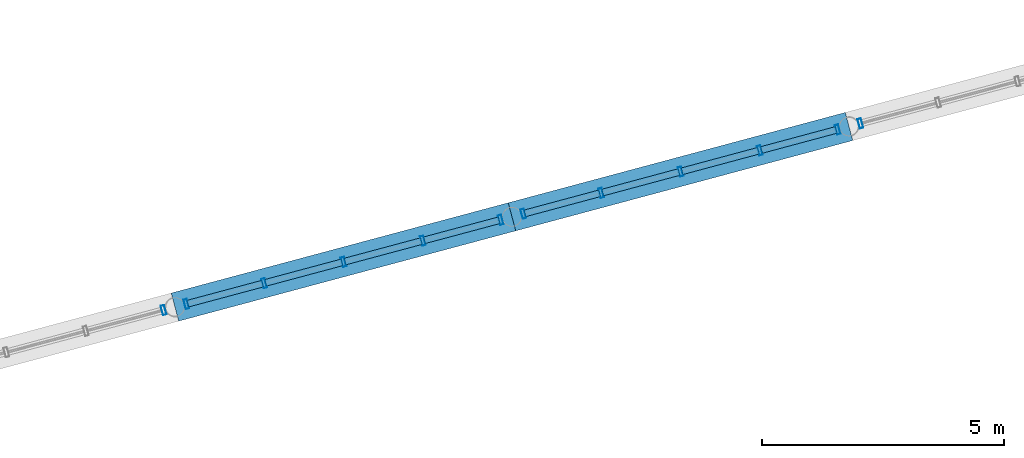
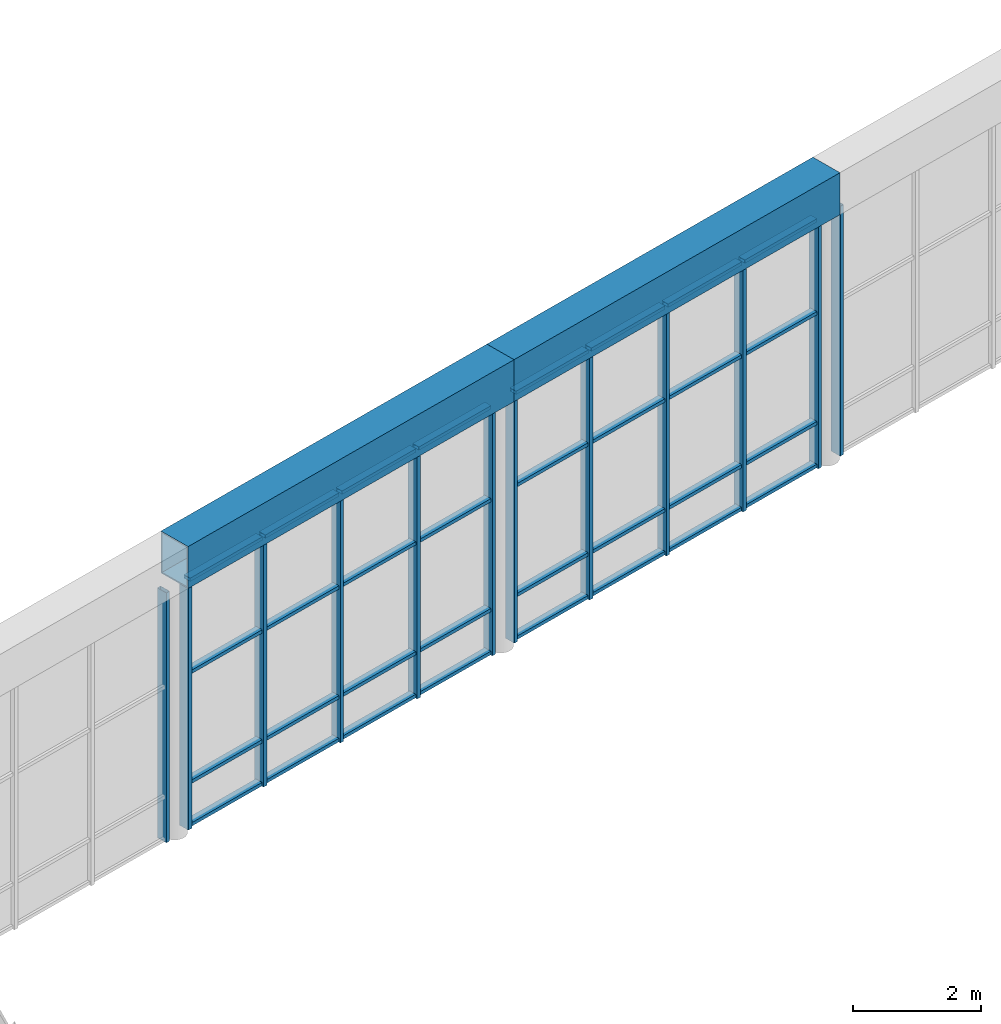
# One storey, part 28 of 55: 44 members, 2 beams, 4 elements without a shape of their own.
"""IFC4 building model written with IfcOpenShell, lengths in metres."""

from ifc_helpers import new_model, si_unit, direction, frame, origin, origin_2d, place, context, subcontext, project, spatial, hollow_rectangle, extrude, material, layer, layer_set, material_profile, profile_set, type_object, element, aggregate, save


model = new_model("IFC4")

# Units and contexts
model_context = context("Model", 3, precision=1e-05, world=origin(), true_north=direction((0.0, 1.0)))
body_context = subcontext(model_context, "Body", "Model", "MODEL_VIEW")
ifc_project = project(units=[si_unit("LENGTHUNIT", "METRE"), si_unit("AREAUNIT", "SQUARE_METRE"), si_unit("VOLUMEUNIT", "CUBIC_METRE"), si_unit("PLANEANGLEUNIT", "RADIAN"), si_unit("MASSUNIT", "GRAM", prefix="KILO")], contexts=[model_context])

# Site, building, storey
site_placement = place(None, origin())
site = spatial("IfcSite", under=ifc_project, at=site_placement, CompositionType="ELEMENT")
building_placement = place(site_placement, origin())
building = spatial("IfcBuilding", under=site, at=building_placement, Name="Ventoquebrada Cableway Terminal", CompositionType="ELEMENT")
storey_placement = place(building_placement, frame((0.0, 0.0, 14.39990234375)))
storey = spatial("IfcBuildingStorey", under=building, at=storey_placement, Name="L03", CompositionType="ELEMENT", Elevation=14.39990234375)

# Curtain wall, member
ifc_material_1 = material(Name="Anodized thermally-broken aluminium", Category="aluminium")
ifc_layer = layer(ifc_material_1, 0.159912109375)
ifc_layer_set = layer_set([ifc_layer], Name="Anodized thermally-broken aluminium")
curtain_wall_type = type_object("IfcCurtainWallType", Name="CW-T42", PredefinedType="USERDEFINED", material=ifc_layer_set)
curtain_wall_1_placement = place(storey_placement, origin())
curtain_wall_1 = element("IfcCurtainWall", 1, at=curtain_wall_1_placement, inside=storey, type_object=curtain_wall_type, Name="Unitised glazed curtain wall CW-120", ObjectType="UNITISED CURTAIN WALL", PredefinedType="USERDEFINED")
ifc_material_profile_1 = material_profile(ifc_material_1, hollow_rectangle(XDim=0.074951171875, YDim=0.199951171875, WallThickness=0.00439453125, at=origin_2d()), Name="CW-MUL-75X200")
ifc_profile_set_1 = profile_set([ifc_material_profile_1], Name="Anodized thermally-broken aluminium")
member_type_1 = type_object("IfcMemberType", Name="CWM-02", PredefinedType="MULLION", material=ifc_profile_set_1)
member_1_placement = place(storey_placement, frame((51.968017578125, 96.698974609375, -0.0078125), z_axis=(0.0, 0.0, 1.0), x_axis=(-0.965912273231, -0.258869620506, 0.0)))
member_1 = element("IfcMember", 2, at=member_1_placement, type_object=member_type_1, Name="Curtain wall mullion FML-0581", PredefinedType="MULLION", context=body_context, shape_type="SweptSolid", body=[
    extrude(hollow_rectangle(XDim=0.074951171875, YDim=0.199951171875, WallThickness=0.00439453125, at=origin_2d()), origin(), (0.0, 0.0, 1.0), 4.762939453125),
])
aggregate(curtain_wall_1, [member_1])

# Curtain wall, members
curtain_wall_2_placement = place(storey_placement, origin())
curtain_wall_2 = element("IfcCurtainWall", 3, at=curtain_wall_2_placement, inside=storey, type_object=curtain_wall_type, Name="Unitised glazed curtain wall CW-121", ObjectType="UNITISED CURTAIN WALL", PredefinedType="USERDEFINED")
member_2_placement = place(storey_placement, frame((58.923095703125, 98.56201171875, -0.0078125), z_axis=(0.0, 0.0, 1.0), x_axis=(-0.965957439792, -0.258701033069, 0.0)))
member_2 = element("IfcMember", 4, at=member_2_placement, type_object=member_type_1, Name="Curtain wall mullion FML-0586", PredefinedType="MULLION", context=body_context, shape_type="SweptSolid", body=[
    extrude(hollow_rectangle(XDim=0.074951171875, YDim=0.199951171875, WallThickness=0.00439453125, at=origin_2d()), origin(), (0.0, 0.0, 1.0), 4.762939453125),
])
member_3_placement = place(storey_placement, frame((57.319091796875, 98.132080078125, -0.0078125), z_axis=(0.0, 0.0, 1.0), x_axis=(-0.965957439792, -0.258701033069, 0.0)))
member_3 = element("IfcMember", 5, at=member_3_placement, type_object=member_type_1, Name="Curtain wall mullion FML-0587", PredefinedType="MULLION", context=body_context, shape_type="SweptSolid", body=[
    extrude(hollow_rectangle(XDim=0.074951171875, YDim=0.199951171875, WallThickness=0.00439453125, at=origin_2d()), origin(), (0.0, 0.0, 1.0), 4.762939453125),
])
member_4_placement = place(storey_placement, frame((55.680908203125, 97.694091796875, -0.0078125), z_axis=(0.0, 0.0, 1.0), x_axis=(-0.965957439792, -0.258701033069, 0.0)))
member_4 = element("IfcMember", 6, at=member_4_placement, type_object=member_type_1, Name="Curtain wall mullion FML-0588", PredefinedType="MULLION", context=body_context, shape_type="SweptSolid", body=[
    extrude(hollow_rectangle(XDim=0.074951171875, YDim=0.199951171875, WallThickness=0.00439453125, at=origin_2d()), origin(), (0.0, 0.0, 1.0), 4.762939453125),
])
member_5_placement = place(storey_placement, frame((54.0419921875, 97.2548828125, -0.0078125), z_axis=(0.0, 0.0, 1.0), x_axis=(-0.965957439792, -0.258701033069, 0.0)))
member_5 = element("IfcMember", 7, at=member_5_placement, type_object=member_type_1, Name="Curtain wall mullion FML-0589", PredefinedType="MULLION", context=body_context, shape_type="SweptSolid", body=[
    extrude(hollow_rectangle(XDim=0.074951171875, YDim=0.199951171875, WallThickness=0.00439453125, at=origin_2d()), origin(), (0.0, 0.0, 1.0), 4.762939453125),
])
member_6_placement = place(storey_placement, frame((52.43798828125, 96.824951171875, -0.0078125), z_axis=(0.0, 0.0, 1.0), x_axis=(-0.965957439792, -0.258701033069, 0.0)))
member_6 = element("IfcMember", 8, at=member_6_placement, type_object=member_type_1, Name="Curtain wall mullion FML-0590", PredefinedType="MULLION", context=body_context, shape_type="SweptSolid", body=[
    extrude(hollow_rectangle(XDim=0.074951171875, YDim=0.199951171875, WallThickness=0.00439453125, at=origin_2d()), origin(), (0.0, 0.0, 1.0), 4.762939453125),
])

curtain_wall_3_placement = place(storey_placement, origin())
curtain_wall_3 = element("IfcCurtainWall", 9, at=curtain_wall_3_placement, inside=storey, type_object=curtain_wall_type, Name="Unitised glazed curtain wall CW-122", ObjectType="UNITISED CURTAIN WALL", PredefinedType="USERDEFINED")
member_7_placement = place(storey_placement, frame((65.8779296875, 100.426025390625, -0.0078125), z_axis=(0.0, 0.0, 1.0), x_axis=(-0.965921308897, -0.258835903649, 0.0)))
member_7 = element("IfcMember", 10, at=member_7_placement, type_object=member_type_1, Name="Curtain wall mullion FML-0591", PredefinedType="MULLION", context=body_context, shape_type="SweptSolid", body=[
    extrude(hollow_rectangle(XDim=0.074951171875, YDim=0.199951171875, WallThickness=0.00439453125, at=origin_2d()), origin(), (0.0, 0.0, 1.0), 4.762939453125),
])
member_8_placement = place(storey_placement, frame((64.27392578125, 99.99609375, -0.0078125), z_axis=(0.0, 0.0, 1.0), x_axis=(-0.965921308897, -0.258835903649, 0.0)))
member_8 = element("IfcMember", 11, at=member_8_placement, type_object=member_type_1, Name="Curtain wall mullion FML-0592", PredefinedType="MULLION", context=body_context, shape_type="SweptSolid", body=[
    extrude(hollow_rectangle(XDim=0.074951171875, YDim=0.199951171875, WallThickness=0.00439453125, at=origin_2d()), origin(), (0.0, 0.0, 1.0), 4.762939453125),
])
member_9_placement = place(storey_placement, frame((62.635986328125, 99.556884765625, -0.0078125), z_axis=(0.0, 0.0, 1.0), x_axis=(-0.965921308897, -0.258835903649, 0.0)))
member_9 = element("IfcMember", 12, at=member_9_placement, type_object=member_type_1, Name="Curtain wall mullion FML-0593", PredefinedType="MULLION", context=body_context, shape_type="SweptSolid", body=[
    extrude(hollow_rectangle(XDim=0.074951171875, YDim=0.199951171875, WallThickness=0.00439453125, at=origin_2d()), origin(), (0.0, 0.0, 1.0), 4.762939453125),
])
member_10_placement = place(storey_placement, frame((60.9970703125, 99.117919921875, -0.0078125), z_axis=(0.0, 0.0, 1.0), x_axis=(-0.965921308897, -0.258835903649, 0.0)))
member_10 = element("IfcMember", 13, at=member_10_placement, type_object=member_type_1, Name="Curtain wall mullion FML-0594", PredefinedType="MULLION", context=body_context, shape_type="SweptSolid", body=[
    extrude(hollow_rectangle(XDim=0.074951171875, YDim=0.199951171875, WallThickness=0.00439453125, at=origin_2d()), origin(), (0.0, 0.0, 1.0), 4.762939453125),
])
member_11_placement = place(storey_placement, frame((59.39306640625, 98.68798828125, -0.0078125), z_axis=(0.0, 0.0, 1.0), x_axis=(-0.965921308897, -0.258835903649, 0.0)))
member_11 = element("IfcMember", 14, at=member_11_placement, type_object=member_type_1, Name="Curtain wall mullion FML-0595", PredefinedType="MULLION", context=body_context, shape_type="SweptSolid", body=[
    extrude(hollow_rectangle(XDim=0.074951171875, YDim=0.199951171875, WallThickness=0.00439453125, at=origin_2d()), origin(), (0.0, 0.0, 1.0), 4.762939453125),
])

# Curtain wall, member
curtain_wall_4_placement = place(storey_placement, origin())
curtain_wall_4 = element("IfcCurtainWall", 15, at=curtain_wall_4_placement, inside=storey, type_object=curtain_wall_type, Name="Unitised glazed curtain wall CW-123", ObjectType="UNITISED CURTAIN WALL", PredefinedType="USERDEFINED")
member_12_placement = place(storey_placement, frame((66.347900390625, 100.552001953125, -0.0078125), z_axis=(0.0, 0.0, 1.0), x_axis=(-0.965948408834, -0.258734751187, 0.0)))
member_12 = element("IfcMember", 16, at=member_12_placement, type_object=member_type_1, Name="Curtain wall mullion FML-0600", PredefinedType="MULLION", context=body_context, shape_type="SweptSolid", body=[
    extrude(hollow_rectangle(XDim=0.074951171875, YDim=0.199951171875, WallThickness=0.00439453125, at=origin_2d()), origin(), (0.0, 0.0, 1.0), 4.762939453125),
])
aggregate(curtain_wall_4, [member_12])

# Member
ifc_material_profile_2 = material_profile(ifc_material_1, hollow_rectangle(XDim=0.06494140625, YDim=0.139892578125, WallThickness=0.00390625, at=origin_2d()), Name="CW-TRN-65X140")
ifc_profile_set_2 = profile_set([ifc_material_profile_2], Name="Anodized thermally-broken aluminium")
member_type_2 = type_object("IfcMemberType", Name="CWT-01", PredefinedType="USERDEFINED", material=ifc_profile_set_2)
member_13_placement = place(storey_placement, frame((58.89208984375, 98.553955078125, 0.03515625), z_axis=(-0.965978078124, -0.258623959802, 0.0), x_axis=(0.0, 0.0, 1.0)))
member_13 = element("IfcMember", 17, at=member_13_placement, type_object=member_type_2, Name="Curtain wall transom FTR-1728", ObjectType="TRANSOM", PredefinedType="USERDEFINED", context=body_context, shape_type="SweptSolid", body=[
    extrude(hollow_rectangle(XDim=0.06494140625, YDim=0.139892578125, WallThickness=0.00390625, at=origin_2d()), origin(), (0.0, 0.0, 1.0), 1.59619140625),
])

member_14_placement = place(storey_placement, frame((58.89208984375, 98.553955078125, 0.85009765625), z_axis=(-0.965978078124, -0.258623959802, 0.0), x_axis=(0.0, 0.0, 1.0)))
member_14 = element("IfcMember", 18, at=member_14_placement, type_object=member_type_2, Name="Curtain wall transom FTR-1729", ObjectType="TRANSOM", PredefinedType="USERDEFINED", context=body_context, shape_type="SweptSolid", body=[
    extrude(hollow_rectangle(XDim=0.06494140625, YDim=0.139892578125, WallThickness=0.00390625, at=origin_2d()), origin(), (0.0, 0.0, 1.0), 1.59619140625),
])

member_15_placement = place(storey_placement, frame((58.89208984375, 98.553955078125, 2.945068359375), z_axis=(-0.965978078124, -0.258623959802, 0.0), x_axis=(0.0, 0.0, 1.0)))
member_15 = element("IfcMember", 19, at=member_15_placement, type_object=member_type_2, Name="Curtain wall transom FTR-1730", ObjectType="TRANSOM", PredefinedType="USERDEFINED", context=body_context, shape_type="SweptSolid", body=[
    extrude(hollow_rectangle(XDim=0.06494140625, YDim=0.139892578125, WallThickness=0.00390625, at=origin_2d()), origin(), (0.0, 0.0, 1.0), 1.59619140625),
])

member_16_placement = place(storey_placement, frame((58.89208984375, 98.553955078125, 4.715087890625), z_axis=(-0.965978078124, -0.258623959802, 0.0), x_axis=(0.0, 0.0, 1.0)))
member_16 = element("IfcMember", 20, at=member_16_placement, type_object=member_type_2, Name="Curtain wall transom FTR-1731", ObjectType="TRANSOM", PredefinedType="USERDEFINED", context=body_context, shape_type="SweptSolid", body=[
    extrude(hollow_rectangle(XDim=0.06494140625, YDim=0.139892578125, WallThickness=0.00390625, at=origin_2d()), origin(), (0.0, 0.0, 1.0), 1.59619140625),
])

member_17_placement = place(storey_placement, frame((57.287109375, 98.1240234375, 0.03515625), z_axis=(-0.965918647009, -0.258845837055, 0.0), x_axis=(0.0, 0.0, 1.0)))
member_17 = element("IfcMember", 21, at=member_17_placement, type_object=member_type_2, Name="Curtain wall transom FTR-1732", ObjectType="TRANSOM", PredefinedType="USERDEFINED", context=body_context, shape_type="SweptSolid", body=[
    extrude(hollow_rectangle(XDim=0.06494140625, YDim=0.139892578125, WallThickness=0.00390625, at=origin_2d()), origin(), (0.0, 0.0, 1.0), 1.630859375),
])

member_18_placement = place(storey_placement, frame((57.287109375, 98.1240234375, 0.85009765625), z_axis=(-0.965918647009, -0.258845837055, 0.0), x_axis=(0.0, 0.0, 1.0)))
member_18 = element("IfcMember", 22, at=member_18_placement, type_object=member_type_2, Name="Curtain wall transom FTR-1733", ObjectType="TRANSOM", PredefinedType="USERDEFINED", context=body_context, shape_type="SweptSolid", body=[
    extrude(hollow_rectangle(XDim=0.06494140625, YDim=0.139892578125, WallThickness=0.00390625, at=origin_2d()), origin(), (0.0, 0.0, 1.0), 1.630859375),
])

member_19_placement = place(storey_placement, frame((57.287109375, 98.1240234375, 2.945068359375), z_axis=(-0.965918647009, -0.258845837055, 0.0), x_axis=(0.0, 0.0, 1.0)))
member_19 = element("IfcMember", 23, at=member_19_placement, type_object=member_type_2, Name="Curtain wall transom FTR-1734", ObjectType="TRANSOM", PredefinedType="USERDEFINED", context=body_context, shape_type="SweptSolid", body=[
    extrude(hollow_rectangle(XDim=0.06494140625, YDim=0.139892578125, WallThickness=0.00390625, at=origin_2d()), origin(), (0.0, 0.0, 1.0), 1.630859375),
])

member_20_placement = place(storey_placement, frame((57.287109375, 98.1240234375, 4.715087890625), z_axis=(-0.965918647009, -0.258845837055, 0.0), x_axis=(0.0, 0.0, 1.0)))
member_20 = element("IfcMember", 24, at=member_20_placement, type_object=member_type_2, Name="Curtain wall transom FTR-1735", ObjectType="TRANSOM", PredefinedType="USERDEFINED", context=body_context, shape_type="SweptSolid", body=[
    extrude(hollow_rectangle(XDim=0.06494140625, YDim=0.139892578125, WallThickness=0.00390625, at=origin_2d()), origin(), (0.0, 0.0, 1.0), 1.630859375),
])

member_21_placement = place(storey_placement, frame((55.64892578125, 97.68505859375, 0.03515625), z_axis=(-0.965908614195, -0.258883272972, 0.0), x_axis=(0.0, 0.0, 1.0)))
member_21 = element("IfcMember", 25, at=member_21_placement, type_object=member_type_2, Name="Curtain wall transom FTR-1736", ObjectType="TRANSOM", PredefinedType="USERDEFINED", context=body_context, shape_type="SweptSolid", body=[
    extrude(hollow_rectangle(XDim=0.06494140625, YDim=0.139892578125, WallThickness=0.00390625, at=origin_2d()), origin(), (0.0, 0.0, 1.0), 1.630615234375),
])

member_22_placement = place(storey_placement, frame((55.64892578125, 97.68505859375, 0.85009765625), z_axis=(-0.965908614195, -0.258883272972, 0.0), x_axis=(0.0, 0.0, 1.0)))
member_22 = element("IfcMember", 26, at=member_22_placement, type_object=member_type_2, Name="Curtain wall transom FTR-1737", ObjectType="TRANSOM", PredefinedType="USERDEFINED", context=body_context, shape_type="SweptSolid", body=[
    extrude(hollow_rectangle(XDim=0.06494140625, YDim=0.139892578125, WallThickness=0.00390625, at=origin_2d()), origin(), (0.0, 0.0, 1.0), 1.630615234375),
])

member_23_placement = place(storey_placement, frame((55.64892578125, 97.68505859375, 2.945068359375), z_axis=(-0.965908614195, -0.258883272972, 0.0), x_axis=(0.0, 0.0, 1.0)))
member_23 = element("IfcMember", 27, at=member_23_placement, type_object=member_type_2, Name="Curtain wall transom FTR-1738", ObjectType="TRANSOM", PredefinedType="USERDEFINED", context=body_context, shape_type="SweptSolid", body=[
    extrude(hollow_rectangle(XDim=0.06494140625, YDim=0.139892578125, WallThickness=0.00390625, at=origin_2d()), origin(), (0.0, 0.0, 1.0), 1.630615234375),
])

member_24_placement = place(storey_placement, frame((55.64892578125, 97.68505859375, 4.715087890625), z_axis=(-0.965908614195, -0.258883272972, 0.0), x_axis=(0.0, 0.0, 1.0)))
member_24 = element("IfcMember", 28, at=member_24_placement, type_object=member_type_2, Name="Curtain wall transom FTR-1739", ObjectType="TRANSOM", PredefinedType="USERDEFINED", context=body_context, shape_type="SweptSolid", body=[
    extrude(hollow_rectangle(XDim=0.06494140625, YDim=0.139892578125, WallThickness=0.00390625, at=origin_2d()), origin(), (0.0, 0.0, 1.0), 1.630615234375),
])

member_25_placement = place(storey_placement, frame((54.010986328125, 97.24609375, 0.03515625), z_axis=(-0.96593986049, -0.25876666307, 0.0), x_axis=(0.0, 0.0, 1.0)))
member_25 = element("IfcMember", 29, at=member_25_placement, type_object=member_type_2, Name="Curtain wall transom FTR-1740", ObjectType="TRANSOM", PredefinedType="USERDEFINED", context=body_context, shape_type="SweptSolid", body=[
    extrude(hollow_rectangle(XDim=0.06494140625, YDim=0.139892578125, WallThickness=0.00390625, at=origin_2d()), origin(), (0.0, 0.0, 1.0), 1.596435546875),
])

member_26_placement = place(storey_placement, frame((54.010986328125, 97.24609375, 0.85009765625), z_axis=(-0.96593986049, -0.25876666307, 0.0), x_axis=(0.0, 0.0, 1.0)))
member_26 = element("IfcMember", 30, at=member_26_placement, type_object=member_type_2, Name="Curtain wall transom FTR-1741", ObjectType="TRANSOM", PredefinedType="USERDEFINED", context=body_context, shape_type="SweptSolid", body=[
    extrude(hollow_rectangle(XDim=0.06494140625, YDim=0.139892578125, WallThickness=0.00390625, at=origin_2d()), origin(), (0.0, 0.0, 1.0), 1.596435546875),
])

member_27_placement = place(storey_placement, frame((54.010986328125, 97.24609375, 2.945068359375), z_axis=(-0.96593986049, -0.25876666307, 0.0), x_axis=(0.0, 0.0, 1.0)))
member_27 = element("IfcMember", 31, at=member_27_placement, type_object=member_type_2, Name="Curtain wall transom FTR-1742", ObjectType="TRANSOM", PredefinedType="USERDEFINED", context=body_context, shape_type="SweptSolid", body=[
    extrude(hollow_rectangle(XDim=0.06494140625, YDim=0.139892578125, WallThickness=0.00390625, at=origin_2d()), origin(), (0.0, 0.0, 1.0), 1.596435546875),
])

member_28_placement = place(storey_placement, frame((54.010986328125, 97.24609375, 4.715087890625), z_axis=(-0.96593986049, -0.25876666307, 0.0), x_axis=(0.0, 0.0, 1.0)))
member_28 = element("IfcMember", 32, at=member_28_placement, type_object=member_type_2, Name="Curtain wall transom FTR-1743", ObjectType="TRANSOM", PredefinedType="USERDEFINED", context=body_context, shape_type="SweptSolid", body=[
    extrude(hollow_rectangle(XDim=0.06494140625, YDim=0.139892578125, WallThickness=0.00390625, at=origin_2d()), origin(), (0.0, 0.0, 1.0), 1.596435546875),
])

aggregate(curtain_wall_2, [member_2, member_3, member_4, member_5, member_6, member_13, member_14, member_15, member_16, member_17, member_18, member_19, member_20, member_21, member_22, member_23, member_24, member_25, member_26, member_27, member_28])

member_29_placement = place(storey_placement, frame((65.846923828125, 100.41796875, 0.03515625), z_axis=(-0.965786809484, -0.259337306663, 0.0), x_axis=(0.0, 0.0, 1.0)))
member_29 = element("IfcMember", 33, at=member_29_placement, type_object=member_type_2, Name="Curtain wall transom FTR-1744", ObjectType="TRANSOM", PredefinedType="USERDEFINED", context=body_context, shape_type="SweptSolid", body=[
    extrude(hollow_rectangle(XDim=0.06494140625, YDim=0.139892578125, WallThickness=0.00390625, at=origin_2d()), origin(), (0.0, 0.0, 1.0), 1.5966796875),
])

member_30_placement = place(storey_placement, frame((65.846923828125, 100.41796875, 0.85009765625), z_axis=(-0.965786809484, -0.259337306663, 0.0), x_axis=(0.0, 0.0, 1.0)))
member_30 = element("IfcMember", 34, at=member_30_placement, type_object=member_type_2, Name="Curtain wall transom FTR-1745", ObjectType="TRANSOM", PredefinedType="USERDEFINED", context=body_context, shape_type="SweptSolid", body=[
    extrude(hollow_rectangle(XDim=0.06494140625, YDim=0.139892578125, WallThickness=0.00390625, at=origin_2d()), origin(), (0.0, 0.0, 1.0), 1.5966796875),
])

member_31_placement = place(storey_placement, frame((65.846923828125, 100.41796875, 2.945068359375), z_axis=(-0.965786809484, -0.259337306663, 0.0), x_axis=(0.0, 0.0, 1.0)))
member_31 = element("IfcMember", 35, at=member_31_placement, type_object=member_type_2, Name="Curtain wall transom FTR-1746", ObjectType="TRANSOM", PredefinedType="USERDEFINED", context=body_context, shape_type="SweptSolid", body=[
    extrude(hollow_rectangle(XDim=0.06494140625, YDim=0.139892578125, WallThickness=0.00390625, at=origin_2d()), origin(), (0.0, 0.0, 1.0), 1.5966796875),
])

member_32_placement = place(storey_placement, frame((65.846923828125, 100.41796875, 4.715087890625), z_axis=(-0.965786809484, -0.259337306663, 0.0), x_axis=(0.0, 0.0, 1.0)))
member_32 = element("IfcMember", 36, at=member_32_placement, type_object=member_type_2, Name="Curtain wall transom FTR-1747", ObjectType="TRANSOM", PredefinedType="USERDEFINED", context=body_context, shape_type="SweptSolid", body=[
    extrude(hollow_rectangle(XDim=0.06494140625, YDim=0.139892578125, WallThickness=0.00390625, at=origin_2d()), origin(), (0.0, 0.0, 1.0), 1.5966796875),
])

member_33_placement = place(storey_placement, frame((64.241943359375, 99.988037109375, 0.03515625), z_axis=(-0.965758711312, -0.259441923222, 0.0), x_axis=(0.0, 0.0, 1.0)))
member_33 = element("IfcMember", 37, at=member_33_placement, type_object=member_type_2, Name="Curtain wall transom FTR-1748", ObjectType="TRANSOM", PredefinedType="USERDEFINED", context=body_context, shape_type="SweptSolid", body=[
    extrude(hollow_rectangle(XDim=0.06494140625, YDim=0.139892578125, WallThickness=0.00390625, at=origin_2d()), origin(), (0.0, 0.0, 1.0), 1.630859375),
])

member_34_placement = place(storey_placement, frame((64.241943359375, 99.988037109375, 0.85009765625), z_axis=(-0.965758711312, -0.259441923222, 0.0), x_axis=(0.0, 0.0, 1.0)))
member_34 = element("IfcMember", 38, at=member_34_placement, type_object=member_type_2, Name="Curtain wall transom FTR-1749", ObjectType="TRANSOM", PredefinedType="USERDEFINED", context=body_context, shape_type="SweptSolid", body=[
    extrude(hollow_rectangle(XDim=0.06494140625, YDim=0.139892578125, WallThickness=0.00390625, at=origin_2d()), origin(), (0.0, 0.0, 1.0), 1.630859375),
])

member_35_placement = place(storey_placement, frame((64.241943359375, 99.988037109375, 2.945068359375), z_axis=(-0.965758711312, -0.259441923222, 0.0), x_axis=(0.0, 0.0, 1.0)))
member_35 = element("IfcMember", 39, at=member_35_placement, type_object=member_type_2, Name="Curtain wall transom FTR-1750", ObjectType="TRANSOM", PredefinedType="USERDEFINED", context=body_context, shape_type="SweptSolid", body=[
    extrude(hollow_rectangle(XDim=0.06494140625, YDim=0.139892578125, WallThickness=0.00390625, at=origin_2d()), origin(), (0.0, 0.0, 1.0), 1.630859375),
])

member_36_placement = place(storey_placement, frame((64.241943359375, 99.988037109375, 4.715087890625), z_axis=(-0.965758711312, -0.259441923222, 0.0), x_axis=(0.0, 0.0, 1.0)))
member_36 = element("IfcMember", 40, at=member_36_placement, type_object=member_type_2, Name="Curtain wall transom FTR-1751", ObjectType="TRANSOM", PredefinedType="USERDEFINED", context=body_context, shape_type="SweptSolid", body=[
    extrude(hollow_rectangle(XDim=0.06494140625, YDim=0.139892578125, WallThickness=0.00390625, at=origin_2d()), origin(), (0.0, 0.0, 1.0), 1.630859375),
])

member_37_placement = place(storey_placement, frame((62.60400390625, 99.549072265625, 0.03515625), z_axis=(-0.965758711312, -0.259441923222, 0.0), x_axis=(0.0, 0.0, 1.0)))
member_37 = element("IfcMember", 41, at=member_37_placement, type_object=member_type_2, Name="Curtain wall transom FTR-1752", ObjectType="TRANSOM", PredefinedType="USERDEFINED", context=body_context, shape_type="SweptSolid", body=[
    extrude(hollow_rectangle(XDim=0.06494140625, YDim=0.139892578125, WallThickness=0.00390625, at=origin_2d()), origin(), (0.0, 0.0, 1.0), 1.630859375),
])

member_38_placement = place(storey_placement, frame((62.60400390625, 99.549072265625, 0.85009765625), z_axis=(-0.965758711312, -0.259441923222, 0.0), x_axis=(0.0, 0.0, 1.0)))
member_38 = element("IfcMember", 42, at=member_38_placement, type_object=member_type_2, Name="Curtain wall transom FTR-1753", ObjectType="TRANSOM", PredefinedType="USERDEFINED", context=body_context, shape_type="SweptSolid", body=[
    extrude(hollow_rectangle(XDim=0.06494140625, YDim=0.139892578125, WallThickness=0.00390625, at=origin_2d()), origin(), (0.0, 0.0, 1.0), 1.630859375),
])

member_39_placement = place(storey_placement, frame((62.60400390625, 99.549072265625, 2.945068359375), z_axis=(-0.965758711312, -0.259441923222, 0.0), x_axis=(0.0, 0.0, 1.0)))
member_39 = element("IfcMember", 43, at=member_39_placement, type_object=member_type_2, Name="Curtain wall transom FTR-1754", ObjectType="TRANSOM", PredefinedType="USERDEFINED", context=body_context, shape_type="SweptSolid", body=[
    extrude(hollow_rectangle(XDim=0.06494140625, YDim=0.139892578125, WallThickness=0.00390625, at=origin_2d()), origin(), (0.0, 0.0, 1.0), 1.630859375),
])

member_40_placement = place(storey_placement, frame((62.60400390625, 99.549072265625, 4.715087890625), z_axis=(-0.965758711312, -0.259441923222, 0.0), x_axis=(0.0, 0.0, 1.0)))
member_40 = element("IfcMember", 44, at=member_40_placement, type_object=member_type_2, Name="Curtain wall transom FTR-1755", ObjectType="TRANSOM", PredefinedType="USERDEFINED", context=body_context, shape_type="SweptSolid", body=[
    extrude(hollow_rectangle(XDim=0.06494140625, YDim=0.139892578125, WallThickness=0.00390625, at=origin_2d()), origin(), (0.0, 0.0, 1.0), 1.630859375),
])

member_41_placement = place(storey_placement, frame((60.966064453125, 99.110107421875, 0.03515625), z_axis=(-0.965786809484, -0.259337306663, 0.0), x_axis=(0.0, 0.0, 1.0)))
member_41 = element("IfcMember", 45, at=member_41_placement, type_object=member_type_2, Name="Curtain wall transom FTR-1756", ObjectType="TRANSOM", PredefinedType="USERDEFINED", context=body_context, shape_type="SweptSolid", body=[
    extrude(hollow_rectangle(XDim=0.06494140625, YDim=0.139892578125, WallThickness=0.00390625, at=origin_2d()), origin(), (0.0, 0.0, 1.0), 1.5966796875),
])

member_42_placement = place(storey_placement, frame((60.966064453125, 99.110107421875, 0.85009765625), z_axis=(-0.965786809484, -0.259337306663, 0.0), x_axis=(0.0, 0.0, 1.0)))
member_42 = element("IfcMember", 46, at=member_42_placement, type_object=member_type_2, Name="Curtain wall transom FTR-1757", ObjectType="TRANSOM", PredefinedType="USERDEFINED", context=body_context, shape_type="SweptSolid", body=[
    extrude(hollow_rectangle(XDim=0.06494140625, YDim=0.139892578125, WallThickness=0.00390625, at=origin_2d()), origin(), (0.0, 0.0, 1.0), 1.5966796875),
])

member_43_placement = place(storey_placement, frame((60.966064453125, 99.110107421875, 2.945068359375), z_axis=(-0.965786809484, -0.259337306663, 0.0), x_axis=(0.0, 0.0, 1.0)))
member_43 = element("IfcMember", 47, at=member_43_placement, type_object=member_type_2, Name="Curtain wall transom FTR-1758", ObjectType="TRANSOM", PredefinedType="USERDEFINED", context=body_context, shape_type="SweptSolid", body=[
    extrude(hollow_rectangle(XDim=0.06494140625, YDim=0.139892578125, WallThickness=0.00390625, at=origin_2d()), origin(), (0.0, 0.0, 1.0), 1.5966796875),
])

member_44_placement = place(storey_placement, frame((60.966064453125, 99.110107421875, 4.715087890625), z_axis=(-0.965786809484, -0.259337306663, 0.0), x_axis=(0.0, 0.0, 1.0)))
member_44 = element("IfcMember", 48, at=member_44_placement, type_object=member_type_2, Name="Curtain wall transom FTR-1759", ObjectType="TRANSOM", PredefinedType="USERDEFINED", context=body_context, shape_type="SweptSolid", body=[
    extrude(hollow_rectangle(XDim=0.06494140625, YDim=0.139892578125, WallThickness=0.00390625, at=origin_2d()), origin(), (0.0, 0.0, 1.0), 1.5966796875),
])

aggregate(curtain_wall_3, [member_7, member_8, member_9, member_10, member_11, member_29, member_30, member_31, member_32, member_33, member_34, member_35, member_36, member_37, member_38, member_39, member_40, member_41, member_42, member_43, member_44])

# Beams
ifc_material_2 = material(Name="Steel ASTM A572 Grade 50", Category="steel")
ifc_material_profile_3 = material_profile(ifc_material_2, hollow_rectangle(XDim=0.60009765625, YDim=0.800048828125, WallThickness=0.02490234375, at=origin_2d()), Name="BOX600X800X25")
ifc_profile_set_3 = profile_set([ifc_material_profile_3], Name="Steel ASTM A572 Grade 50")
beam_type = type_object("IfcBeamType", Name="RNG-ST01", PredefinedType="BEAM", material=ifc_profile_set_3)
beam_1_placement = place(storey_placement, frame((52.202880859375, 96.761962890625, 5.2001953125), z_axis=(0.965945630245, 0.258745124417, 0.0), x_axis=(-0.258745124417, 0.965945630245, 0.0)))
element("IfcBeam", 49, at=beam_1_placement, inside=storey, type_object=beam_type, Name="Gridshell compression-tension ring beam FBM-1142", PredefinedType="BEAM", context=body_context, shape_type="SweptSolid", body=[
    extrude(hollow_rectangle(XDim=0.60009765625, YDim=0.800048828125, WallThickness=0.02490234375, at=origin_2d()), origin(), (0.0, 0.0, 1.0), 7.2001953125),
])
beam_2_placement = place(storey_placement, frame((59.157958984375, 98.625, 5.2001953125), z_axis=(0.96591172503, 0.258871665986, 0.0), x_axis=(-0.258871665986, 0.96591172503, 0.0)))
element("IfcBeam", 50, at=beam_2_placement, inside=storey, type_object=beam_type, Name="Gridshell compression-tension ring beam FBM-1143", PredefinedType="BEAM", context=body_context, shape_type="SweptSolid", body=[
    extrude(hollow_rectangle(XDim=0.60009765625, YDim=0.800048828125, WallThickness=0.02490234375, at=origin_2d()), origin(), (0.0, 0.0, 1.0), 7.200439453125),
])

save(model, "model.ifc")
